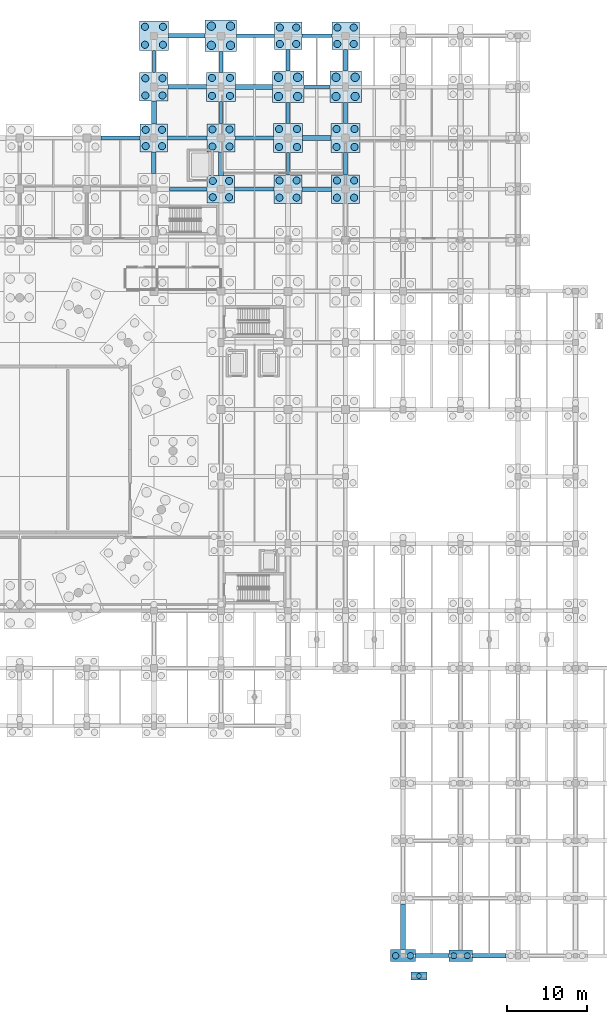
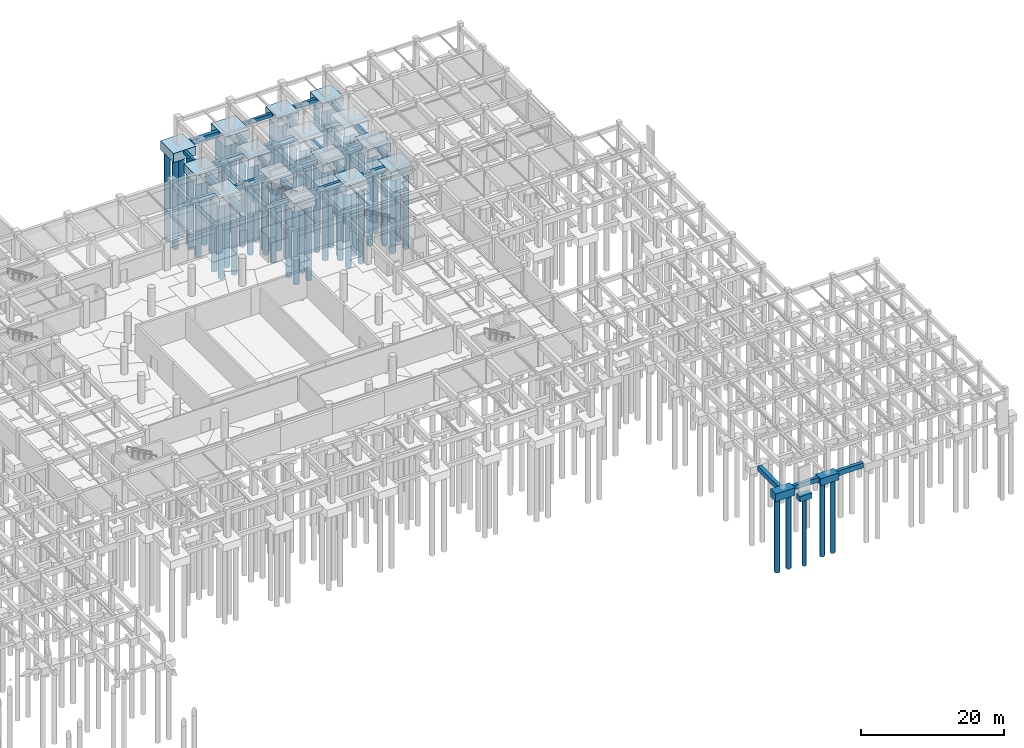
# One storey, part 11 of 44: 65 piles, 46 footings.
"""IFC4 building model written with IfcOpenShell, lengths in metres."""

from ifc_helpers import new_model, si_unit, direction, frame, origin, origin_2d, place, context, subcontext, project, spatial, rectangle, circle, extrude, material, material_profile, profile_set, type_object, element, save


model = new_model("IFC4")

# Units and contexts
model_context = context("Model", 3, precision=1e-05, world=origin(), true_north=direction((0.0, 1.0)))
body_context = subcontext(model_context, "Body", "Model", "MODEL_VIEW")
ifc_project = project(units=[si_unit("LENGTHUNIT", "METRE"), si_unit("AREAUNIT", "SQUARE_METRE"), si_unit("VOLUMEUNIT", "CUBIC_METRE"), si_unit("PLANEANGLEUNIT", "RADIAN"), si_unit("MASSUNIT", "GRAM", prefix="KILO")], contexts=[model_context])

# Site, building, storey
site_placement = place(None, origin())
site = spatial("IfcSite", under=ifc_project, at=site_placement, CompositionType="ELEMENT")
building_placement = place(site_placement, origin())
building = spatial("IfcBuilding", under=site, at=building_placement, Name="Korsvaeld Concert Hall", CompositionType="ELEMENT")
storey_placement = place(building_placement, frame((0.0, 0.0, -4.800048828125)))
storey = spatial("IfcBuildingStorey", under=building, at=storey_placement, Name="B1", CompositionType="ELEMENT", Elevation=-4.800048828125)

# Footings
ifc_material_1 = material(Name="Concrete C35/45", Category="concrete")
ifc_material_profile_1 = material_profile(ifc_material_1, rectangle(XDim=0.39990234375, YDim=0.60009765625, at=origin_2d()), Name="GTB 400x600")
ifc_profile_set_1 = profile_set([ifc_material_profile_1], Name="Concrete C35/45")
footing_type_1 = type_object("IfcFootingType", Name="GTB-400x600", PredefinedType="FOOTING_BEAM", material=ifc_profile_set_1)
footing_1_placement = place(storey_placement, frame((119.574951171875, 108.800048828125, -0.300048828125), z_axis=(1.0, 0.0, 0.0), x_axis=(0.0, 1.0, 0.0)))
element("IfcFooting", 1, at=footing_1_placement, inside=storey, type_object=footing_type_1, Name="Ground tie beam 16-17/R", PredefinedType="FOOTING_BEAM", context=body_context, shape_type="SweptSolid", body=[
    extrude(rectangle(XDim=0.39990234375, YDim=0.60009765625, at=origin_2d()), origin(), (0.0, 0.0, 1.0), 3.25),
])
footing_2_placement = place(storey_placement, frame((111.175048828125, 115.199951171875, -0.300048828125), z_axis=(1.0, 0.0, 0.0), x_axis=(0.0, 1.0, 0.0)))
element("IfcFooting", 2, at=footing_2_placement, inside=storey, type_object=footing_type_1, Name="Ground tie beam 15-16/S", PredefinedType="FOOTING_BEAM", context=body_context, shape_type="SweptSolid", body=[
    extrude(rectangle(XDim=0.39990234375, YDim=0.60009765625, at=origin_2d()), origin(), (0.0, 0.0, 1.0), 4.699951171875),
])
for number, where, z_axis, x_axis, name in (
    (3, (100.800048828125, 110.574951171875, -0.300048828125), (0.0, 1.0, 0.0), (-1.0, 0.0, 0.0), "Ground tie beam 14/R-S"),
    (4, (109.199951171875, 104.175048828125, -0.300048828125), (0.0, 1.0, 0.0), (-1.0, 0.0, 0.0), "Ground tie beam 15/Q-R"),
    (5, (117.60009765625, 97.77490234375, -0.300048828125), (0.0, 1.0, 0.0), (-1.0, 0.0, 0.0), "Ground tie beam 16/P-Q"),
):
    element("IfcFooting", number, at=place(storey_placement, frame(where, z_axis=z_axis, x_axis=x_axis)), inside=storey, type_object=footing_type_1, Name=name, PredefinedType="FOOTING_BEAM", context=body_context, shape_type="SweptSolid", body=[
        extrude(rectangle(XDim=0.39990234375, YDim=0.60009765625, at=origin_2d()), origin(), (0.0, 0.0, 1.0), 2.800048828125),
    ])
ifc_material_profile_2 = material_profile(ifc_material_1, rectangle(XDim=0.449951171875, YDim=0.699951171875, at=origin_2d()), Name="GTB 450x700")
ifc_profile_set_2 = profile_set([ifc_material_profile_2], Name="Concrete C35/45")
footing_type_2 = type_object("IfcFootingType", Name="GTB-450x700", PredefinedType="FOOTING_BEAM", material=ifc_profile_set_2)
footing_3_placement = place(storey_placement, frame((102.77490234375, 96.0, -0.349853515625), z_axis=(1.0, 0.0, 0.0), x_axis=(0.0, 1.0, 0.0)))
element("IfcFooting", 6, at=footing_3_placement, inside=storey, type_object=footing_type_2, Name="Ground tie beam 14-15/P", PredefinedType="FOOTING_BEAM", context=body_context, shape_type="SweptSolid", body=[
    extrude(rectangle(XDim=0.449951171875, YDim=0.699951171875, at=origin_2d()), origin(), (0.0, 0.0, 1.0), 4.7001953125),
])
footing_4_placement = place(storey_placement, frame((94.175048828125, 102.39990234375, -0.349853515625), z_axis=(1.0, 0.0, 0.0), x_axis=(0.0, 1.0, 0.0)))
element("IfcFooting", 7, at=footing_4_placement, inside=storey, type_object=footing_type_2, Name="Ground tie beam 13-14/Q", PredefinedType="FOOTING_BEAM", context=body_context, shape_type="SweptSolid", body=[
    extrude(rectangle(XDim=0.449951171875, YDim=0.699951171875, at=origin_2d()), origin(), (0.0, 0.0, 1.0), 4.89990234375),
])
footing_5_placement = place(storey_placement, frame((119.324951171875, 115.199951171875, -0.349853515625), z_axis=(1.0, 0.0, 0.0), x_axis=(0.0, 1.0, 0.0)))
element("IfcFooting", 8, at=footing_5_placement, inside=storey, type_object=footing_type_2, Name="Ground tie beam 16-17/S", PredefinedType="FOOTING_BEAM", context=body_context, shape_type="SweptSolid", body=[
    extrude(rectangle(XDim=0.449951171875, YDim=0.699951171875, at=origin_2d()), origin(), (0.0, 0.0, 1.0), 3.75),
])
footing_6_placement = place(storey_placement, frame((109.199951171875, 110.625, -0.349853515625), z_axis=(0.0, 1.0, 0.0), x_axis=(-1.0, 0.0, 0.0)))
element("IfcFooting", 9, at=footing_6_placement, inside=storey, type_object=footing_type_2, Name="Ground tie beam 15/R-S", PredefinedType="FOOTING_BEAM", context=body_context, shape_type="SweptSolid", body=[
    extrude(rectangle(XDim=0.449951171875, YDim=0.699951171875, at=origin_2d()), origin(), (0.0, 0.0, 1.0), 2.60009765625),
])
footing_7_placement = place(storey_placement, frame((117.60009765625, 104.22509765625, -0.349853515625), z_axis=(0.0, 1.0, 0.0), x_axis=(-1.0, 0.0, 0.0)))
element("IfcFooting", 10, at=footing_7_placement, inside=storey, type_object=footing_type_2, Name="Ground tie beam 16/Q-R", PredefinedType="FOOTING_BEAM", context=body_context, shape_type="SweptSolid", body=[
    extrude(rectangle(XDim=0.449951171875, YDim=0.699951171875, at=origin_2d()), origin(), (0.0, 0.0, 1.0), 2.599853515625),
])
footing_8_placement = place(storey_placement, frame((124.800048828125, 97.77490234375, -0.349853515625), z_axis=(0.0, 1.0, 0.0), x_axis=(-1.0, 0.0, 0.0)))
element("IfcFooting", 11, at=footing_8_placement, inside=storey, type_object=footing_type_2, Name="Ground tie beam 17/P-Q", PredefinedType="FOOTING_BEAM", context=body_context, shape_type="SweptSolid", body=[
    extrude(rectangle(XDim=0.449951171875, YDim=0.699951171875, at=origin_2d()), origin(), (0.0, 0.0, 1.0), 2.800048828125),
])
ifc_material_profile_3 = material_profile(ifc_material_1, rectangle(XDim=0.5, YDim=0.75, at=origin_2d()), Name="GTB 500x750")
ifc_profile_set_3 = profile_set([ifc_material_profile_3], Name="Concrete C35/45")
footing_type_3 = type_object("IfcFootingType", Name="GTB-500x750", PredefinedType="FOOTING_BEAM", material=ifc_profile_set_3)
footing_9_placement = place(storey_placement, frame((133.574951171875, 0.0, -0.375), z_axis=(1.0, 0.0, 0.0), x_axis=(0.0, 1.0, 0.0)))
element("IfcFooting", 12, at=footing_9_placement, inside=storey, type_object=footing_type_3, Name="Ground tie beam 18-19/A", PredefinedType="FOOTING_BEAM", context=body_context, shape_type="SweptSolid", body=[
    extrude(rectangle(XDim=0.5, YDim=0.75, at=origin_2d()), origin(), (0.0, 0.0, 1.0), 4.150146484375),
])
footing_10_placement = place(storey_placement, frame((110.925048828125, 96.0, -0.375), z_axis=(1.0, 0.0, 0.0), x_axis=(0.0, 1.0, 0.0)))
element("IfcFooting", 13, at=footing_10_placement, inside=storey, type_object=footing_type_3, Name="Ground tie beam 15-16/P", PredefinedType="FOOTING_BEAM", context=body_context, shape_type="SweptSolid", body=[
    extrude(rectangle(XDim=0.5, YDim=0.75, at=origin_2d()), origin(), (0.0, 0.0, 1.0), 4.89990234375),
])
footing_11_placement = place(storey_placement, frame((102.52490234375, 102.39990234375, -0.375), z_axis=(1.0, 0.0, 0.0), x_axis=(0.0, 1.0, 0.0)))
element("IfcFooting", 14, at=footing_11_placement, inside=storey, type_object=footing_type_3, Name="Ground tie beam 14-15/Q", PredefinedType="FOOTING_BEAM", context=body_context, shape_type="SweptSolid", body=[
    extrude(rectangle(XDim=0.5, YDim=0.75, at=origin_2d()), origin(), (0.0, 0.0, 1.0), 4.900146484375),
])
footing_12_placement = place(storey_placement, frame((117.60009765625, 110.77490234375, -0.375), z_axis=(0.0, 1.0, 0.0), x_axis=(-1.0, 0.0, 0.0)))
element("IfcFooting", 15, at=footing_12_placement, inside=storey, type_object=footing_type_3, Name="Ground tie beam 16/R-S", PredefinedType="FOOTING_BEAM", context=body_context, shape_type="SweptSolid", body=[
    extrude(rectangle(XDim=0.5, YDim=0.75, at=origin_2d()), origin(), (0.0, 0.0, 1.0), 2.7001953125),
])
footing_13_placement = place(storey_placement, frame((124.800048828125, 104.22509765625, -0.375), z_axis=(0.0, 1.0, 0.0), x_axis=(-1.0, 0.0, 0.0)))
element("IfcFooting", 16, at=footing_13_placement, inside=storey, type_object=footing_type_3, Name="Ground tie beam 17/Q-R", PredefinedType="FOOTING_BEAM", context=body_context, shape_type="SweptSolid", body=[
    extrude(rectangle(XDim=0.5, YDim=0.75, at=origin_2d()), origin(), (0.0, 0.0, 1.0), 2.599853515625),
])
ifc_material_profile_4 = material_profile(ifc_material_1, rectangle(XDim=0.550048828125, YDim=0.85009765625, at=origin_2d()), Name="GTB 550x850")
ifc_profile_set_4 = profile_set([ifc_material_profile_4], Name="Concrete C35/45")
footing_type_4 = type_object("IfcFootingType", Name="GTB-550x850", PredefinedType="FOOTING_BEAM", material=ifc_profile_set_4)
footing_14_placement = place(storey_placement, frame((140.675048828125, 0.0, -0.425048828125), z_axis=(1.0, 0.0, 0.0), x_axis=(0.0, 1.0, 0.0)))
element("IfcFooting", 17, at=footing_14_placement, inside=storey, type_object=footing_type_4, Name="Ground tie beam 19-20/A", PredefinedType="FOOTING_BEAM", context=body_context, shape_type="SweptSolid", body=[
    extrude(rectangle(XDim=0.550048828125, YDim=0.85009765625, at=origin_2d()), origin(), (0.0, 0.0, 1.0), 4.199951171875),
])
footing_15_placement = place(storey_placement, frame((119.375, 96.0, -0.425048828125), z_axis=(1.0, 0.0, 0.0), x_axis=(0.0, 1.0, 0.0)))
element("IfcFooting", 18, at=footing_15_placement, inside=storey, type_object=footing_type_4, Name="Ground tie beam 16-17/P", PredefinedType="FOOTING_BEAM", context=body_context, shape_type="SweptSolid", body=[
    extrude(rectangle(XDim=0.550048828125, YDim=0.85009765625, at=origin_2d()), origin(), (0.0, 0.0, 1.0), 3.64990234375),
])
footing_16_placement = place(storey_placement, frame((110.97509765625, 102.39990234375, -0.425048828125), z_axis=(1.0, 0.0, 0.0), x_axis=(0.0, 1.0, 0.0)))
element("IfcFooting", 19, at=footing_16_placement, inside=storey, type_object=footing_type_4, Name="Ground tie beam 15-16/Q", PredefinedType="FOOTING_BEAM", context=body_context, shape_type="SweptSolid", body=[
    extrude(rectangle(XDim=0.550048828125, YDim=0.85009765625, at=origin_2d()), origin(), (0.0, 0.0, 1.0), 4.7998046875),
])
footing_17_placement = place(storey_placement, frame((102.574951171875, 108.800048828125, -0.425048828125), z_axis=(1.0, 0.0, 0.0), x_axis=(0.0, 1.0, 0.0)))
element("IfcFooting", 20, at=footing_17_placement, inside=storey, type_object=footing_type_4, Name="Ground tie beam 14-15/R", PredefinedType="FOOTING_BEAM", context=body_context, shape_type="SweptSolid", body=[
    extrude(rectangle(XDim=0.550048828125, YDim=0.85009765625, at=origin_2d()), origin(), (0.0, 0.0, 1.0), 4.800048828125),
])
footing_18_placement = place(storey_placement, frame((100.800048828125, 97.97509765625, -0.425048828125), z_axis=(0.0, 1.0, 0.0), x_axis=(-1.0, 0.0, 0.0)))
element("IfcFooting", 21, at=footing_18_placement, inside=storey, type_object=footing_type_4, Name="Ground tie beam 14/P-Q", PredefinedType="FOOTING_BEAM", context=body_context, shape_type="SweptSolid", body=[
    extrude(rectangle(XDim=0.550048828125, YDim=0.85009765625, at=origin_2d()), origin(), (0.0, 0.0, 1.0), 2.699951171875),
])
footing_19_placement = place(storey_placement, frame((124.800048828125, 110.77490234375, -0.425048828125), z_axis=(0.0, 1.0, 0.0), x_axis=(-1.0, 0.0, 0.0)))
element("IfcFooting", 22, at=footing_19_placement, inside=storey, type_object=footing_type_4, Name="Ground tie beam 17/R-S", PredefinedType="FOOTING_BEAM", context=body_context, shape_type="SweptSolid", body=[
    extrude(rectangle(XDim=0.550048828125, YDim=0.85009765625, at=origin_2d()), origin(), (0.0, 0.0, 1.0), 2.7001953125),
])
ifc_material_profile_5 = material_profile(ifc_material_1, rectangle(XDim=0.60009765625, YDim=0.89990234375, at=origin_2d()), Name="GTB 600x900")
ifc_profile_set_5 = profile_set([ifc_material_profile_5], Name="Concrete C35/45")
footing_type_5 = type_object("IfcFootingType", Name="GTB-600x900", PredefinedType="FOOTING_BEAM", material=ifc_profile_set_5)
footing_20_placement = place(storey_placement, frame((119.425048828125, 102.39990234375, -0.449951171875), z_axis=(1.0, 0.0, 0.0), x_axis=(0.0, 1.0, 0.0)))
element("IfcFooting", 23, at=footing_20_placement, inside=storey, type_object=footing_type_5, Name="Ground tie beam 16-17/Q", PredefinedType="FOOTING_BEAM", context=body_context, shape_type="SweptSolid", body=[
    extrude(rectangle(XDim=0.60009765625, YDim=0.89990234375, at=origin_2d()), origin(), (0.0, 0.0, 1.0), 3.550048828125),
])
for number, where, z_axis, x_axis, name in (
    (24, (111.02490234375, 108.800048828125, -0.449951171875), (1.0, 0.0, 0.0), (0.0, 1.0, 0.0), "Ground tie beam 15-16/R"),
    (25, (102.625, 115.199951171875, -0.449951171875), (1.0, 0.0, 0.0), (0.0, 1.0, 0.0), "Ground tie beam 14-15/S"),
):
    element("IfcFooting", number, at=place(storey_placement, frame(where, z_axis=z_axis, x_axis=x_axis)), inside=storey, type_object=footing_type_5, Name=name, PredefinedType="FOOTING_BEAM", context=body_context, shape_type="SweptSolid", body=[
        extrude(rectangle(XDim=0.60009765625, YDim=0.89990234375, at=origin_2d()), origin(), (0.0, 0.0, 1.0), 4.60009765625),
    ])
for number, where, z_axis, x_axis, name in (
    (26, (100.800048828125, 104.125, -0.449951171875), (0.0, 1.0, 0.0), (-1.0, 0.0, 0.0), "Ground tie beam 14/Q-R"),
    (27, (109.199951171875, 97.72509765625, -0.449951171875), (0.0, 1.0, 0.0), (-1.0, 0.0, 0.0), "Ground tie beam 15/P-Q"),
):
    element("IfcFooting", number, at=place(storey_placement, frame(where, z_axis=z_axis, x_axis=x_axis)), inside=storey, type_object=footing_type_5, Name=name, PredefinedType="FOOTING_BEAM", context=body_context, shape_type="SweptSolid", body=[
        extrude(rectangle(XDim=0.60009765625, YDim=0.89990234375, at=origin_2d()), origin(), (0.0, 0.0, 1.0), 2.89990234375),
    ])
footing_21_placement = place(storey_placement, frame((132.0, 0.75, -0.449951171875), z_axis=(0.0, 1.0, 0.0), x_axis=(-1.0, 0.0, 0.0)))
element("IfcFooting", 28, at=footing_21_placement, inside=storey, type_object=footing_type_5, Name="Ground tie beam 18/A-B", PredefinedType="FOOTING_BEAM", context=body_context, shape_type="SweptSolid", body=[
    extrude(rectangle(XDim=0.60009765625, YDim=0.89990234375, at=origin_2d()), origin(), (0.0, 0.0, 1.0), 5.75),
])
footing_type_6 = type_object("IfcFootingType", Name="PC-2P-240x130x120", PredefinedType="PILE_CAP", material=ifc_material_1)
footing_22_placement = place(storey_placement, frame((139.199951171875, 0.0, -1.19970703125), z_axis=(0.0, 0.0, 1.0), x_axis=(1.0, 0.0, 0.0)))
element("IfcFooting", 29, at=footing_22_placement, inside=storey, type_object=footing_type_6, Name="Pile cap 19/A", PredefinedType="PILE_CAP", context=body_context, shape_type="SweptSolid", body=[
    extrude(rectangle(XDim=2.949951171875, YDim=1.39990234375, at=origin_2d()), origin(), (0.0, 0.0, 1.0), 1.199951171875),
])
footing_type_7 = type_object("IfcFootingType", Name="PC-2P-280x150x130", PredefinedType="PILE_CAP", material=ifc_material_1)
footing_23_placement = place(storey_placement, frame((132.0, 0.0, -1.2998046875), z_axis=(0.0, 0.0, 1.0), x_axis=(1.0, 0.0, 0.0)))
element("IfcFooting", 30, at=footing_23_placement, inside=storey, type_object=footing_type_7, Name="Pile cap 18/A", PredefinedType="PILE_CAP", context=body_context, shape_type="SweptSolid", body=[
    extrude(rectangle(XDim=3.14990234375, YDim=1.5, at=origin_2d()), origin(), (0.0, 0.0, 1.0), 1.300048828125),
])
footing_type_8 = type_object("IfcFootingType", Name="PC-4P-320x320x145", PredefinedType="PILE_CAP", material=ifc_material_1)
for number, where, z_axis, x_axis, name in (
    (31, (100.800048828125, 102.39990234375, -1.44970703125), (0.0, 0.0, 1.0), (1.0, 0.0, 0.0), "Pile cap 14/Q"),
    (32, (109.199951171875, 96.0, -1.44970703125), (0.0, 0.0, 1.0), (1.0, 0.0, 0.0), "Pile cap 15/P"),
    (33, (117.60009765625, 115.199951171875, -1.44970703125), (0.0, 0.0, 1.0), (1.0, 0.0, 0.0), "Pile cap 16/S"),
    (34, (124.800048828125, 115.199951171875, -1.44970703125), (0.0, 0.0, 1.0), (1.0, 0.0, 0.0), "Pile cap 17/S"),
):
    element("IfcFooting", number, at=place(storey_placement, frame(where, z_axis=z_axis, x_axis=x_axis)), inside=storey, type_object=footing_type_8, Name=name, PredefinedType="PILE_CAP", context=body_context, shape_type="SweptSolid", body=[
        extrude(rectangle(XDim=3.449951171875, YDim=3.449951171875, at=origin_2d()), origin(), (0.0, 0.0, 1.0), 1.449951171875),
    ])
footing_type_9 = type_object("IfcFootingType", Name="PC-4P-340x340x150", PredefinedType="PILE_CAP", material=ifc_material_1)
for number, where, z_axis, x_axis, name in (
    (35, (100.800048828125, 108.800048828125, -1.5), (0.0, 0.0, 1.0), (1.0, 0.0, 0.0), "Pile cap 14/R"),
    (36, (109.199951171875, 102.39990234375, -1.5), (0.0, 0.0, 1.0), (1.0, 0.0, 0.0), "Pile cap 15/Q"),
    (37, (117.60009765625, 96.0, -1.5), (0.0, 0.0, 1.0), (1.0, 0.0, 0.0), "Pile cap 16/P"),
    (38, (124.800048828125, 96.0, -1.5), (0.0, 0.0, 1.0), (1.0, 0.0, 0.0), "Pile cap 17/P"),
):
    element("IfcFooting", number, at=place(storey_placement, frame(where, z_axis=z_axis, x_axis=x_axis)), inside=storey, type_object=footing_type_9, Name=name, PredefinedType="PILE_CAP", context=body_context, shape_type="SweptSolid", body=[
        extrude(rectangle(XDim=3.550048828125, YDim=3.550048828125, at=origin_2d()), origin(), (0.0, 0.0, 1.0), 1.5),
    ])
footing_type_10 = type_object("IfcFootingType", Name="PC-4P-360x360x155", PredefinedType="PILE_CAP", material=ifc_material_1)
for number, where, z_axis, x_axis, name in (
    (39, (100.800048828125, 115.199951171875, -1.5498046875), (0.0, 0.0, 1.0), (1.0, 0.0, 0.0), "Pile cap 14/S"),
    (40, (109.199951171875, 108.800048828125, -1.5498046875), (0.0, 0.0, 1.0), (1.0, 0.0, 0.0), "Pile cap 15/R"),
    (41, (117.60009765625, 102.39990234375, -1.5498046875), (0.0, 0.0, 1.0), (1.0, 0.0, 0.0), "Pile cap 16/Q"),
    (42, (124.800048828125, 102.39990234375, -1.5498046875), (0.0, 0.0, 1.0), (1.0, 0.0, 0.0), "Pile cap 17/Q"),
):
    element("IfcFooting", number, at=place(storey_placement, frame(where, z_axis=z_axis, x_axis=x_axis)), inside=storey, type_object=footing_type_10, Name=name, PredefinedType="PILE_CAP", context=body_context, shape_type="SweptSolid", body=[
        extrude(rectangle(XDim=3.64990234375, YDim=3.64990234375, at=origin_2d()), origin(), (0.0, 0.0, 1.0), 1.550048828125),
    ])
footing_type_11 = type_object("IfcFootingType", Name="PC-4P-380x380x160", PredefinedType="PILE_CAP", material=ifc_material_1)
for number, where, z_axis, x_axis, name in (
    (43, (109.199951171875, 115.199951171875, -1.60009765625), (0.0, 0.0, 1.0), (1.0, 0.0, 0.0), "Pile cap 15/S"),
    (44, (117.60009765625, 108.800048828125, -1.60009765625), (0.0, 0.0, 1.0), (1.0, 0.0, 0.0), "Pile cap 16/R"),
    (45, (124.800048828125, 108.800048828125, -1.60009765625), (0.0, 0.0, 1.0), (1.0, 0.0, 0.0), "Pile cap 17/R"),
):
    element("IfcFooting", number, at=place(storey_placement, frame(where, z_axis=z_axis, x_axis=x_axis)), inside=storey, type_object=footing_type_11, Name=name, PredefinedType="PILE_CAP", context=body_context, shape_type="SweptSolid", body=[
        extrude(rectangle(XDim=3.949951171875, YDim=3.949951171875, at=origin_2d()), origin(), (0.0, 0.0, 1.0), 1.60009765625),
    ])
footing_type_12 = type_object("IfcFootingType", Name="PF-RAMP-200x100x90", PredefinedType="PAD_FOOTING", material=ifc_material_1)
footing_24_placement = place(storey_placement, frame((134.0, -2.5400390625, -0.89990234375), z_axis=(0.0, 0.0, 1.0), x_axis=(1.0, 0.0, 0.0)))
element("IfcFooting", 46, at=footing_24_placement, inside=storey, type_object=footing_type_12, Name="Ramp toe foundation RMP-SE1", PredefinedType="PAD_FOOTING", context=body_context, shape_type="SweptSolid", body=[
    extrude(rectangle(XDim=2.0, YDim=1.0, at=origin_2d()), origin(), (0.0, 0.0, 1.0), 0.89990234375),
])

# Piles
ifc_material_2 = material(Name="Concrete C40/50", Category="concrete")
ifc_material_profile_6 = material_profile(ifc_material_2, circle(Radius=0.52490234375, at=origin_2d()), Name="BORED PILE D1050")
ifc_profile_set_6 = profile_set([ifc_material_profile_6], Name="Concrete C40/50")
pile_type_1 = type_object("IfcPileType", Name="PILE-D1050", PredefinedType="BORED", material=ifc_profile_set_6)
for number, where, z_axis, x_axis, name in (
    (47, (108.0, 114.0, -1.5), (0.0, 0.0, -1.0), (1.0, 0.0, 0.0), "Bored pile 15/S-1"),
    (48, (110.39990234375, 114.0, -1.5), (0.0, 0.0, -1.0), (1.0, 0.0, 0.0), "Bored pile 15/S-2"),
    (49, (108.0, 116.39990234375, -1.5), (0.0, 0.0, -1.0), (1.0, 0.0, 0.0), "Bored pile 15/S-3"),
    (50, (110.39990234375, 116.39990234375, -1.5), (0.0, 0.0, -1.0), (1.0, 0.0, 0.0), "Bored pile 15/S-4"),
    (51, (116.39990234375, 107.60009765625, -1.5), (0.0, 0.0, -1.0), (1.0, 0.0, 0.0), "Bored pile 16/R-1"),
    (52, (118.800048828125, 107.60009765625, -1.5), (0.0, 0.0, -1.0), (1.0, 0.0, 0.0), "Bored pile 16/R-2"),
    (53, (116.39990234375, 110.0, -1.5), (0.0, 0.0, -1.0), (1.0, 0.0, 0.0), "Bored pile 16/R-3"),
    (54, (118.800048828125, 110.0, -1.5), (0.0, 0.0, -1.0), (1.0, 0.0, 0.0), "Bored pile 16/R-4"),
    (55, (123.60009765625, 107.60009765625, -1.5), (0.0, 0.0, -1.0), (1.0, 0.0, 0.0), "Bored pile 17/R-1"),
    (56, (126.0, 107.60009765625, -1.5), (0.0, 0.0, -1.0), (1.0, 0.0, 0.0), "Bored pile 17/R-2"),
    (57, (123.60009765625, 110.0, -1.5), (0.0, 0.0, -1.0), (1.0, 0.0, 0.0), "Bored pile 17/R-3"),
    (58, (126.0, 110.0, -1.5), (0.0, 0.0, -1.0), (1.0, 0.0, 0.0), "Bored pile 17/R-4"),
):
    element("IfcPile", number, at=place(storey_placement, frame(where, z_axis=z_axis, x_axis=x_axis)), inside=storey, type_object=pile_type_1, Name=name, PredefinedType="BORED", context=body_context, shape_type="SweptSolid", body=[
        extrude(circle(Radius=0.52490234375, at=origin_2d()), origin(), (0.0, 0.0, 1.0), 15.39990234375),
    ])
ifc_material_profile_7 = material_profile(ifc_material_1, circle(Radius=0.300048828125, at=origin_2d()), Name="BORED PILE D600")
ifc_profile_set_7 = profile_set([ifc_material_profile_7], Name="Concrete C35/45")
pile_type_2 = type_object("IfcPileType", Name="PILE-D600", PredefinedType="BORED", material=ifc_profile_set_7)
pile_placement = place(storey_placement, frame((134.0, -2.5400390625, -0.800048828125), z_axis=(0.0, 0.0, -1.0), x_axis=(1.0, 0.0, 0.0)))
element("IfcPile", 59, at=pile_placement, inside=storey, type_object=pile_type_2, Name="Ramp toe bored pile RMP-SE1", PredefinedType="BORED", context=body_context, shape_type="SweptSolid", body=[
    extrude(circle(Radius=0.300048828125, at=origin_2d()), origin(), (0.0, 0.0, 1.0), 11.5),
])
ifc_material_profile_8 = material_profile(ifc_material_1, circle(Radius=0.375, at=origin_2d()), Name="BORED PILE D750")
ifc_profile_set_8 = profile_set([ifc_material_profile_8], Name="Concrete C35/45")
pile_type_3 = type_object("IfcPileType", Name="PILE-D750", PredefinedType="BORED", material=ifc_profile_set_8)
for number, where, z_axis, x_axis, name in (
    (60, (138.35009765625, 0.0, -1.099853515625), (0.0, 0.0, -1.0), (1.0, 0.0, 0.0), "Bored pile 19/A-1"),
    (61, (140.050048828125, 0.0, -1.099853515625), (0.0, 0.0, -1.0), (1.0, 0.0, 0.0), "Bored pile 19/A-2"),
):
    element("IfcPile", number, at=place(storey_placement, frame(where, z_axis=z_axis, x_axis=x_axis)), inside=storey, type_object=pile_type_3, Name=name, PredefinedType="BORED", context=body_context, shape_type="SweptSolid", body=[
        extrude(circle(Radius=0.375, at=origin_2d()), origin(), (0.0, 0.0, 1.0), 12.60009765625),
    ])
ifc_material_profile_9 = material_profile(ifc_material_1, circle(Radius=0.39990234375, at=origin_2d()), Name="BORED PILE D800")
ifc_profile_set_9 = profile_set([ifc_material_profile_9], Name="Concrete C35/45")
pile_type_4 = type_object("IfcPileType", Name="PILE-D800", PredefinedType="BORED", material=ifc_profile_set_9)
for number, where, z_axis, x_axis, name in (
    (62, (131.074951171875, 0.0, -1.199951171875), (0.0, 0.0, -1.0), (1.0, 0.0, 0.0), "Bored pile 18/A-1"),
    (63, (132.925048828125, 0.0, -1.199951171875), (0.0, 0.0, -1.0), (1.0, 0.0, 0.0), "Bored pile 18/A-2"),
):
    element("IfcPile", number, at=place(storey_placement, frame(where, z_axis=z_axis, x_axis=x_axis)), inside=storey, type_object=pile_type_4, Name=name, PredefinedType="BORED", context=body_context, shape_type="SweptSolid", body=[
        extrude(circle(Radius=0.39990234375, at=origin_2d()), origin(), (0.0, 0.0, 1.0), 12.699951171875),
    ])
ifc_material_profile_10 = material_profile(ifc_material_1, circle(Radius=0.449951171875, at=origin_2d()), Name="BORED PILE D900")
ifc_profile_set_10 = profile_set([ifc_material_profile_10], Name="Concrete C35/45")
pile_type_5 = type_object("IfcPileType", Name="PILE-D900", PredefinedType="BORED", material=ifc_profile_set_10)
for number, where, z_axis, x_axis, name in (
    (64, (99.77490234375, 101.375, -1.349853515625), (0.0, 0.0, -1.0), (1.0, 0.0, 0.0), "Bored pile 14/Q-1"),
    (65, (101.824951171875, 101.375, -1.349853515625), (0.0, 0.0, -1.0), (1.0, 0.0, 0.0), "Bored pile 14/Q-2"),
    (66, (99.77490234375, 103.425048828125, -1.349853515625), (0.0, 0.0, -1.0), (1.0, 0.0, 0.0), "Bored pile 14/Q-3"),
    (67, (101.824951171875, 103.425048828125, -1.349853515625), (0.0, 0.0, -1.0), (1.0, 0.0, 0.0), "Bored pile 14/Q-4"),
):
    element("IfcPile", number, at=place(storey_placement, frame(where, z_axis=z_axis, x_axis=x_axis)), inside=storey, type_object=pile_type_5, Name=name, PredefinedType="BORED", context=body_context, shape_type="SweptSolid", body=[
        extrude(circle(Radius=0.449951171875, at=origin_2d()), origin(), (0.0, 0.0, 1.0), 12.85009765625),
    ])
for number, where, z_axis, x_axis, name in (
    (68, (99.72509765625, 107.72509765625, -1.39990234375), (0.0, 0.0, -1.0), (1.0, 0.0, 0.0), "Bored pile 14/R-1"),
    (69, (101.875, 107.72509765625, -1.39990234375), (0.0, 0.0, -1.0), (1.0, 0.0, 0.0), "Bored pile 14/R-2"),
    (70, (99.72509765625, 109.875, -1.39990234375), (0.0, 0.0, -1.0), (1.0, 0.0, 0.0), "Bored pile 14/R-3"),
    (71, (101.875, 109.875, -1.39990234375), (0.0, 0.0, -1.0), (1.0, 0.0, 0.0), "Bored pile 14/R-4"),
):
    element("IfcPile", number, at=place(storey_placement, frame(where, z_axis=z_axis, x_axis=x_axis)), inside=storey, type_object=pile_type_5, Name=name, PredefinedType="BORED", context=body_context, shape_type="SweptSolid", body=[
        extrude(circle(Radius=0.449951171875, at=origin_2d()), origin(), (0.0, 0.0, 1.0), 12.89990234375),
    ])
for number, where, z_axis, x_axis, name in (
    (72, (99.675048828125, 114.074951171875, -1.449951171875), (0.0, 0.0, -1.0), (1.0, 0.0, 0.0), "Bored pile 14/S-1"),
    (73, (101.925048828125, 114.074951171875, -1.449951171875), (0.0, 0.0, -1.0), (1.0, 0.0, 0.0), "Bored pile 14/S-2"),
    (74, (99.675048828125, 116.324951171875, -1.449951171875), (0.0, 0.0, -1.0), (1.0, 0.0, 0.0), "Bored pile 14/S-3"),
    (75, (101.925048828125, 116.324951171875, -1.449951171875), (0.0, 0.0, -1.0), (1.0, 0.0, 0.0), "Bored pile 14/S-4"),
):
    element("IfcPile", number, at=place(storey_placement, frame(where, z_axis=z_axis, x_axis=x_axis)), inside=storey, type_object=pile_type_5, Name=name, PredefinedType="BORED", context=body_context, shape_type="SweptSolid", body=[
        extrude(circle(Radius=0.449951171875, at=origin_2d()), origin(), (0.0, 0.0, 1.0), 15.35009765625),
    ])
for number, where, z_axis, x_axis, name in (
    (76, (108.175048828125, 94.97509765625, -1.349853515625), (0.0, 0.0, -1.0), (1.0, 0.0, 0.0), "Bored pile 15/P-1"),
    (77, (110.22509765625, 94.97509765625, -1.349853515625), (0.0, 0.0, -1.0), (1.0, 0.0, 0.0), "Bored pile 15/P-2"),
    (78, (108.175048828125, 97.02490234375, -1.349853515625), (0.0, 0.0, -1.0), (1.0, 0.0, 0.0), "Bored pile 15/P-3"),
    (79, (110.22509765625, 97.02490234375, -1.349853515625), (0.0, 0.0, -1.0), (1.0, 0.0, 0.0), "Bored pile 15/P-4"),
):
    element("IfcPile", number, at=place(storey_placement, frame(where, z_axis=z_axis, x_axis=x_axis)), inside=storey, type_object=pile_type_5, Name=name, PredefinedType="BORED", context=body_context, shape_type="SweptSolid", body=[
        extrude(circle(Radius=0.449951171875, at=origin_2d()), origin(), (0.0, 0.0, 1.0), 12.85009765625),
    ])
for number, where, z_axis, x_axis, name in (
    (80, (108.125, 101.324951171875, -1.39990234375), (0.0, 0.0, -1.0), (1.0, 0.0, 0.0), "Bored pile 15/Q-1"),
    (81, (110.27490234375, 101.324951171875, -1.39990234375), (0.0, 0.0, -1.0), (1.0, 0.0, 0.0), "Bored pile 15/Q-2"),
    (82, (108.125, 103.47509765625, -1.39990234375), (0.0, 0.0, -1.0), (1.0, 0.0, 0.0), "Bored pile 15/Q-3"),
    (83, (110.27490234375, 103.47509765625, -1.39990234375), (0.0, 0.0, -1.0), (1.0, 0.0, 0.0), "Bored pile 15/Q-4"),
):
    element("IfcPile", number, at=place(storey_placement, frame(where, z_axis=z_axis, x_axis=x_axis)), inside=storey, type_object=pile_type_5, Name=name, PredefinedType="BORED", context=body_context, shape_type="SweptSolid", body=[
        extrude(circle(Radius=0.449951171875, at=origin_2d()), origin(), (0.0, 0.0, 1.0), 12.89990234375),
    ])
for number, where, z_axis, x_axis, name in (
    (84, (108.074951171875, 107.675048828125, -1.449951171875), (0.0, 0.0, -1.0), (1.0, 0.0, 0.0), "Bored pile 15/R-1"),
    (85, (110.324951171875, 107.675048828125, -1.449951171875), (0.0, 0.0, -1.0), (1.0, 0.0, 0.0), "Bored pile 15/R-2"),
    (86, (108.074951171875, 109.925048828125, -1.449951171875), (0.0, 0.0, -1.0), (1.0, 0.0, 0.0), "Bored pile 15/R-3"),
    (87, (110.324951171875, 109.925048828125, -1.449951171875), (0.0, 0.0, -1.0), (1.0, 0.0, 0.0), "Bored pile 15/R-4"),
):
    element("IfcPile", number, at=place(storey_placement, frame(where, z_axis=z_axis, x_axis=x_axis)), inside=storey, type_object=pile_type_5, Name=name, PredefinedType="BORED", context=body_context, shape_type="SweptSolid", body=[
        extrude(circle(Radius=0.449951171875, at=origin_2d()), origin(), (0.0, 0.0, 1.0), 15.35009765625),
    ])
for number, where, z_axis, x_axis, name in (
    (88, (116.52490234375, 94.925048828125, -1.39990234375), (0.0, 0.0, -1.0), (1.0, 0.0, 0.0), "Bored pile 16/P-1"),
    (89, (118.675048828125, 94.925048828125, -1.39990234375), (0.0, 0.0, -1.0), (1.0, 0.0, 0.0), "Bored pile 16/P-2"),
    (90, (116.52490234375, 97.074951171875, -1.39990234375), (0.0, 0.0, -1.0), (1.0, 0.0, 0.0), "Bored pile 16/P-3"),
    (91, (118.675048828125, 97.074951171875, -1.39990234375), (0.0, 0.0, -1.0), (1.0, 0.0, 0.0), "Bored pile 16/P-4"),
):
    element("IfcPile", number, at=place(storey_placement, frame(where, z_axis=z_axis, x_axis=x_axis)), inside=storey, type_object=pile_type_5, Name=name, PredefinedType="BORED", context=body_context, shape_type="SweptSolid", body=[
        extrude(circle(Radius=0.449951171875, at=origin_2d()), origin(), (0.0, 0.0, 1.0), 12.89990234375),
    ])
for number, where, z_axis, x_axis, name in (
    (92, (116.47509765625, 101.27490234375, -1.449951171875), (0.0, 0.0, -1.0), (1.0, 0.0, 0.0), "Bored pile 16/Q-1"),
    (93, (118.72509765625, 101.27490234375, -1.449951171875), (0.0, 0.0, -1.0), (1.0, 0.0, 0.0), "Bored pile 16/Q-2"),
    (94, (116.47509765625, 103.52490234375, -1.449951171875), (0.0, 0.0, -1.0), (1.0, 0.0, 0.0), "Bored pile 16/Q-3"),
    (95, (118.72509765625, 103.52490234375, -1.449951171875), (0.0, 0.0, -1.0), (1.0, 0.0, 0.0), "Bored pile 16/Q-4"),
):
    element("IfcPile", number, at=place(storey_placement, frame(where, z_axis=z_axis, x_axis=x_axis)), inside=storey, type_object=pile_type_5, Name=name, PredefinedType="BORED", context=body_context, shape_type="SweptSolid", body=[
        extrude(circle(Radius=0.449951171875, at=origin_2d()), origin(), (0.0, 0.0, 1.0), 15.35009765625),
    ])
for number, where, z_axis, x_axis, name in (
    (96, (116.574951171875, 114.175048828125, -1.349853515625), (0.0, 0.0, -1.0), (1.0, 0.0, 0.0), "Bored pile 16/S-1"),
    (97, (118.625, 114.175048828125, -1.349853515625), (0.0, 0.0, -1.0), (1.0, 0.0, 0.0), "Bored pile 16/S-2"),
    (98, (116.574951171875, 116.22509765625, -1.349853515625), (0.0, 0.0, -1.0), (1.0, 0.0, 0.0), "Bored pile 16/S-3"),
    (99, (118.625, 116.22509765625, -1.349853515625), (0.0, 0.0, -1.0), (1.0, 0.0, 0.0), "Bored pile 16/S-4"),
):
    element("IfcPile", number, at=place(storey_placement, frame(where, z_axis=z_axis, x_axis=x_axis)), inside=storey, type_object=pile_type_5, Name=name, PredefinedType="BORED", context=body_context, shape_type="SweptSolid", body=[
        extrude(circle(Radius=0.449951171875, at=origin_2d()), origin(), (0.0, 0.0, 1.0), 12.85009765625),
    ])
for number, where, z_axis, x_axis, name in (
    (100, (123.72509765625, 94.925048828125, -1.39990234375), (0.0, 0.0, -1.0), (1.0, 0.0, 0.0), "Bored pile 17/P-1"),
    (101, (125.875, 94.925048828125, -1.39990234375), (0.0, 0.0, -1.0), (1.0, 0.0, 0.0), "Bored pile 17/P-2"),
    (102, (123.72509765625, 97.074951171875, -1.39990234375), (0.0, 0.0, -1.0), (1.0, 0.0, 0.0), "Bored pile 17/P-3"),
    (103, (125.875, 97.074951171875, -1.39990234375), (0.0, 0.0, -1.0), (1.0, 0.0, 0.0), "Bored pile 17/P-4"),
):
    element("IfcPile", number, at=place(storey_placement, frame(where, z_axis=z_axis, x_axis=x_axis)), inside=storey, type_object=pile_type_5, Name=name, PredefinedType="BORED", context=body_context, shape_type="SweptSolid", body=[
        extrude(circle(Radius=0.449951171875, at=origin_2d()), origin(), (0.0, 0.0, 1.0), 12.89990234375),
    ])
for number, where, z_axis, x_axis, name in (
    (104, (123.675048828125, 101.27490234375, -1.449951171875), (0.0, 0.0, -1.0), (1.0, 0.0, 0.0), "Bored pile 17/Q-1"),
    (105, (125.925048828125, 101.27490234375, -1.449951171875), (0.0, 0.0, -1.0), (1.0, 0.0, 0.0), "Bored pile 17/Q-2"),
    (106, (123.675048828125, 103.52490234375, -1.449951171875), (0.0, 0.0, -1.0), (1.0, 0.0, 0.0), "Bored pile 17/Q-3"),
    (107, (125.925048828125, 103.52490234375, -1.449951171875), (0.0, 0.0, -1.0), (1.0, 0.0, 0.0), "Bored pile 17/Q-4"),
):
    element("IfcPile", number, at=place(storey_placement, frame(where, z_axis=z_axis, x_axis=x_axis)), inside=storey, type_object=pile_type_5, Name=name, PredefinedType="BORED", context=body_context, shape_type="SweptSolid", body=[
        extrude(circle(Radius=0.449951171875, at=origin_2d()), origin(), (0.0, 0.0, 1.0), 15.35009765625),
    ])
for number, where, z_axis, x_axis, name in (
    (108, (123.77490234375, 114.175048828125, -1.349853515625), (0.0, 0.0, -1.0), (1.0, 0.0, 0.0), "Bored pile 17/S-1"),
    (109, (125.824951171875, 114.175048828125, -1.349853515625), (0.0, 0.0, -1.0), (1.0, 0.0, 0.0), "Bored pile 17/S-2"),
    (110, (123.77490234375, 116.22509765625, -1.349853515625), (0.0, 0.0, -1.0), (1.0, 0.0, 0.0), "Bored pile 17/S-3"),
    (111, (125.824951171875, 116.22509765625, -1.349853515625), (0.0, 0.0, -1.0), (1.0, 0.0, 0.0), "Bored pile 17/S-4"),
):
    element("IfcPile", number, at=place(storey_placement, frame(where, z_axis=z_axis, x_axis=x_axis)), inside=storey, type_object=pile_type_5, Name=name, PredefinedType="BORED", context=body_context, shape_type="SweptSolid", body=[
        extrude(circle(Radius=0.449951171875, at=origin_2d()), origin(), (0.0, 0.0, 1.0), 12.85009765625),
    ])

save(model, "model.ifc")
